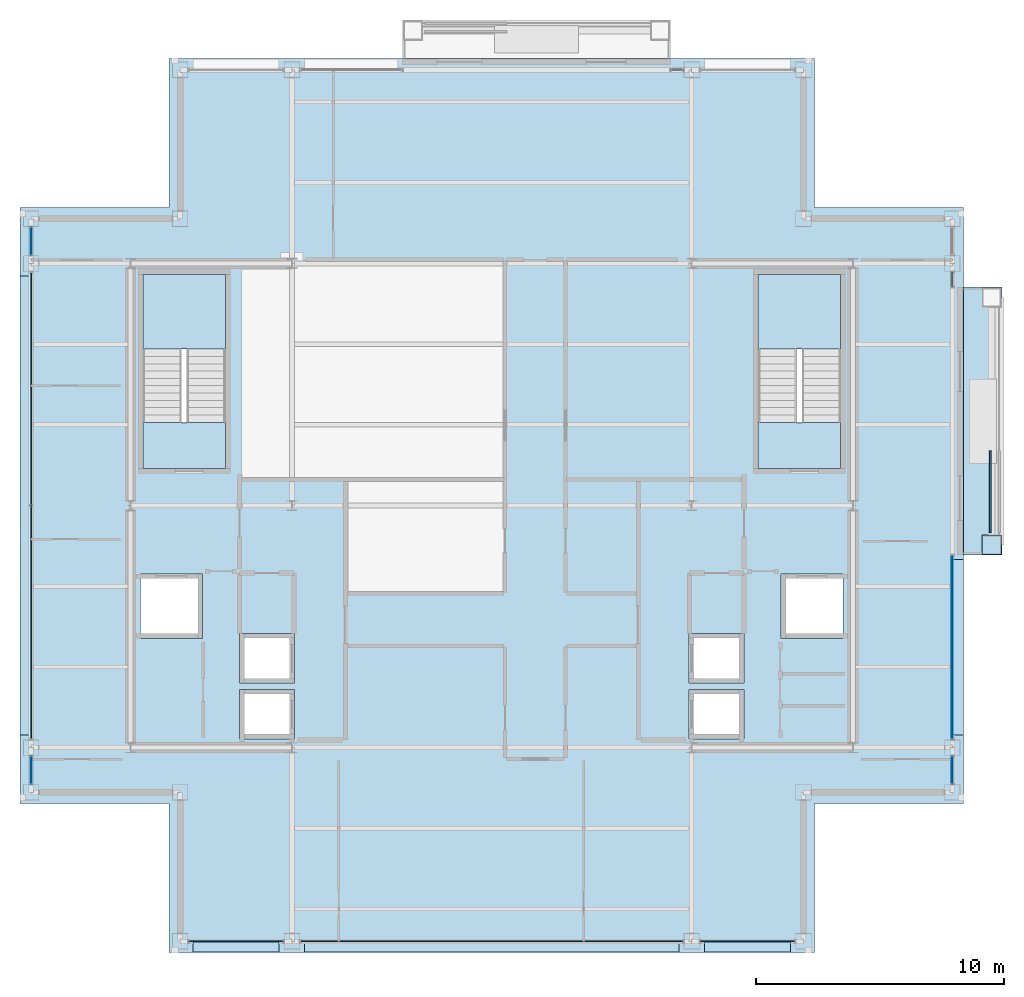
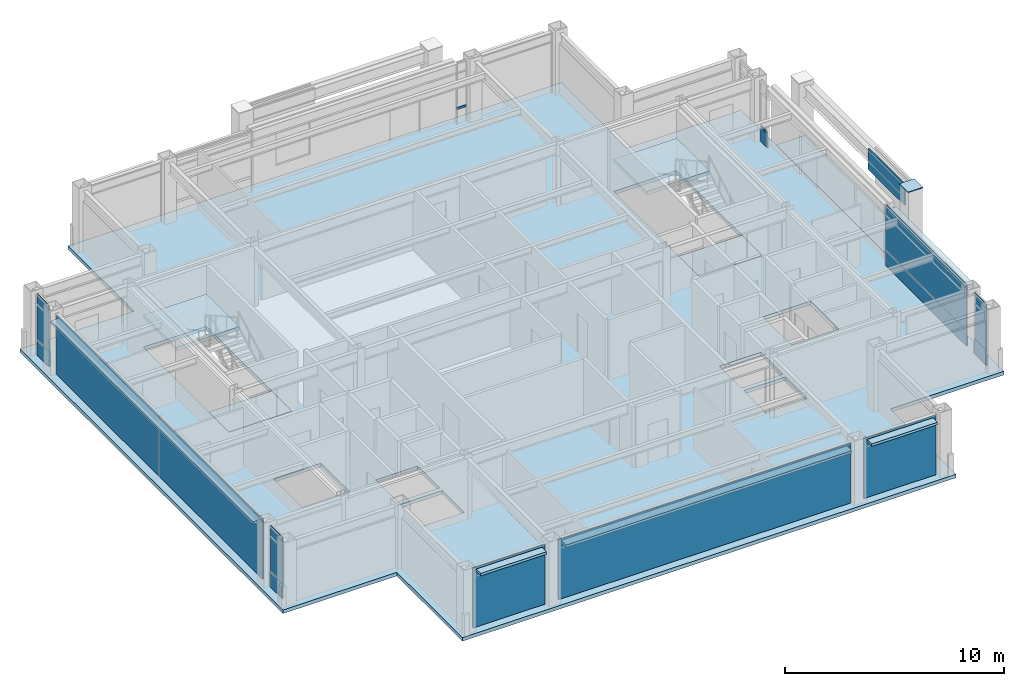
# One storey, part 17 of 24: 21 plates, 6 slabs, 2 members, 12 elements without a shape of their own.
"""IFC4 building model written with IfcOpenShell, lengths in metres."""

from ifc_helpers import new_model, si_unit, direction, frame, origin, origin_2d, place, context, subcontext, project, spatial, polyline, rectangle, hollow_rectangle, outline, extrude, material, layer, layer_set, material_profile, profile_set, type_object, element, aggregate, save


model = new_model("IFC4")

# Units and contexts
model_context = context("Model", 3, precision=1e-05, world=origin(), true_north=direction((0.0, 1.0)))
body_context = subcontext(model_context, "Body", "Model", "MODEL_VIEW")
ifc_project = project(units=[si_unit("LENGTHUNIT", "METRE"), si_unit("AREAUNIT", "SQUARE_METRE"), si_unit("VOLUMEUNIT", "CUBIC_METRE"), si_unit("PLANEANGLEUNIT", "RADIAN"), si_unit("MASSUNIT", "GRAM", prefix="KILO")], contexts=[model_context])

# Site, building, storey
site_placement = place(None, origin())
site = spatial("IfcSite", under=ifc_project, at=site_placement, CompositionType="ELEMENT")
building_placement = place(site_placement, origin())
building = spatial("IfcBuilding", under=site, at=building_placement, Name="Brelmoor Portico Tower", CompositionType="ELEMENT")
storey_placement = place(building_placement, frame((0.0, 0.0, 240.0)))
storey = spatial("IfcBuildingStorey", under=building, at=storey_placement, Name="L63", CompositionType="ELEMENT", Elevation=240.0)

# Curtain wall, member
ifc_material_1 = material(Name="Anodised Aluminium Alloy 6063-T6", Category="aluminium")
ifc_layer_1 = layer(ifc_material_1, 0.179931640625)
ifc_layer_set_1 = layer_set([ifc_layer_1], Name="Anodised Aluminium Alloy 6063-T6")
curtain_wall_type_1 = type_object("IfcCurtainWallType", Name="CW-TOWER-Z4", PredefinedType="NOTDEFINED", material=ifc_layer_set_1)
curtain_wall_1_placement = place(storey_placement, origin())
curtain_wall_1 = element("IfcCurtainWall", 1, at=curtain_wall_1_placement, inside=storey, type_object=curtain_wall_type_1, Name="L63 Curtain Wall CW-L63-2R-1", PredefinedType="NOTDEFINED")
ifc_material_profile = material_profile(ifc_material_1, hollow_rectangle(XDim=0.06005859375, YDim=0.125, WallThickness=0.00341796875, at=origin_2d()), Name="ALU TRANSOM 60x125")
ifc_profile_set = profile_set([ifc_material_profile], Name="Anodised Aluminium Alloy 6063-T6")
member_type = type_object("IfcMemberType", Name="MB-CW-TRAN-125", PredefinedType="USERDEFINED", material=ifc_profile_set)
member_1_placement = place(storey_placement, frame((7.199951171875, 17.550048828125, 0.85009765625), z_axis=(1.0, 0.0, 0.0), x_axis=(0.0, 1.0, 0.0)))
member_1 = element("IfcMember", 2, at=member_1_placement, type_object=member_type, Name="CW-L63-2R-1 Transom 1-00", ObjectType="TRANSOM", PredefinedType="USERDEFINED", context=body_context, shape_type="SweptSolid", body=[
    extrude(hollow_rectangle(XDim=0.06005859375, YDim=0.125, WallThickness=0.00341796875, at=origin_2d()), origin(), (0.0, 0.0, 1.0), 0.51513671875),
])
aggregate(curtain_wall_1, [member_1])

curtain_wall_2_placement = place(storey_placement, origin())
curtain_wall_2 = element("IfcCurtainWall", 3, at=curtain_wall_2_placement, inside=storey, type_object=curtain_wall_type_1, Name="L63 Curtain Wall CW-L63-4R-1", PredefinedType="NOTDEFINED")
member_2_placement = place(storey_placement, frame((18.550048828125, 8.800048828125, 0.85009765625), z_axis=(0.0, 1.0, 0.0), x_axis=(-1.0, 0.0, 0.0)))
member_2 = element("IfcMember", 4, at=member_2_placement, type_object=member_type, Name="CW-L63-4R-1 Transom 1-00", ObjectType="TRANSOM", PredefinedType="USERDEFINED", context=body_context, shape_type="SweptSolid", body=[
    extrude(hollow_rectangle(XDim=0.06005859375, YDim=0.125, WallThickness=0.00341796875, at=origin_2d()), origin(), (0.0, 0.0, 1.0), 0.614990234375),
])

# Plate
ifc_material_2 = material(Name="Steel Q355B", Category="steel")
ifc_layer_2 = layer(ifc_material_2, 0.044921875)
ifc_layer_set_2 = layer_set([ifc_layer_2], Name="Steel Q355B")
plate_type_1 = type_object("IfcPlateType", Name="PT-CAP-650", PredefinedType="SHEET", material=ifc_layer_set_2)
plate_1_placement = place(storey_placement, frame((20.1298828125, -1.580078125, 3.60009765625), z_axis=(0.0, 0.0, 1.0), x_axis=(0.0, 1.0, 0.0)))
element("IfcPlate", 5, at=plate_1_placement, inside=storey, type_object=plate_type_1, Name="L63 Proud Picture-Frame Pier PFJ-E1 Welded Head Cap Plate", PredefinedType="SHEET", context=body_context, shape_type="SweptSolid", body=[
    extrude(rectangle(XDim=0.7900390625, YDim=0.7900390625, at=origin_2d()), origin(), (0.0, 0.0, 1.0), 0.0400390625),
])

# Curtain wall, plate
curtain_wall_3_placement = place(storey_placement, origin())
curtain_wall_3 = element("IfcCurtainWall", 6, at=curtain_wall_3_placement, inside=storey, type_object=curtain_wall_type_1, Name="L63 Curtain Wall CW-L63-03-1", PredefinedType="NOTDEFINED")
ifc_material_3 = material(Name="Double-Silver Low-E Insulated Glazing", Category="glass")
ifc_layer_3 = layer(ifc_material_3, 0.035888671875)
ifc_layer_set_3 = layer_set([ifc_layer_3], Name="Double-Silver Low-E Insulated Glazing")
plate_type_2 = type_object("IfcPlateType", Name="PT-CW-GLASS", PredefinedType="CURTAIN_PANEL", material=ifc_layer_set_3)
plate_2_placement = place(storey_placement, frame((-18.550048828125, -10.64990234375, 0.85009765625), z_axis=(0.0, 0.0, 1.0), x_axis=(0.0, 1.0, 0.0)))
plate_2 = element("IfcPlate", 7, at=plate_2_placement, type_object=plate_type_2, Name="CW-L63-03-1 Vision Glass Panel 00", PredefinedType="CURTAIN_PANEL", context=body_context, shape_type="SweptSolid", body=[
    extrude(rectangle(XDim=1.10009765625, YDim=0.035888671875, at=origin_2d()), origin(), (0.0, 0.0, 1.0), 2.550048828125),
])

curtain_wall_4_placement = place(storey_placement, origin())
curtain_wall_4 = element("IfcCurtainWall", 8, at=curtain_wall_4_placement, inside=storey, type_object=curtain_wall_type_1, Name="L63 Curtain Wall CW-L63-03-3", PredefinedType="NOTDEFINED")
plate_3_placement = place(storey_placement, frame((-18.550048828125, 10.64990234375, 0.85009765625), z_axis=(0.0, 0.0, 1.0), x_axis=(0.0, 1.0, 0.0)))
plate_3 = element("IfcPlate", 9, at=plate_3_placement, type_object=plate_type_2, Name="CW-L63-03-3 Vision Glass Panel 00", PredefinedType="CURTAIN_PANEL", context=body_context, shape_type="SweptSolid", body=[
    extrude(rectangle(XDim=1.10009765625, YDim=0.035888671875, at=origin_2d()), origin(), (0.0, 0.0, 1.0), 2.550048828125),
])

curtain_wall_5_placement = place(storey_placement, origin())
curtain_wall_5 = element("IfcCurtainWall", 10, at=curtain_wall_5_placement, inside=storey, type_object=curtain_wall_type_1, Name="L63 Curtain Wall CW-L63-4L-1", PredefinedType="NOTDEFINED")
plate_4_placement = place(storey_placement, frame((18.550048828125, -10.64990234375, 0.85009765625), z_axis=(0.0, 0.0, 1.0), x_axis=(0.0, 1.0, 0.0)))
plate_4 = element("IfcPlate", 11, at=plate_4_placement, type_object=plate_type_2, Name="CW-L63-4L-1 Vision Glass Panel 00", PredefinedType="CURTAIN_PANEL", context=body_context, shape_type="SweptSolid", body=[
    extrude(rectangle(XDim=1.10009765625, YDim=0.035888671875, at=origin_2d()), origin(), (0.0, 0.0, 1.0), 2.550048828125),
])

curtain_wall_6_placement = place(storey_placement, origin())
curtain_wall_6 = element("IfcCurtainWall", 12, at=curtain_wall_6_placement, inside=storey, type_object=curtain_wall_type_1, Name="L63 Curtain Wall CW-L63-4L-2", PredefinedType="NOTDEFINED")
plate_5_placement = place(storey_placement, frame((18.550048828125, -5.70751953125, 0.85009765625), z_axis=(0.0, 0.0, 1.0), x_axis=(0.0, 1.0, 0.0)))
plate_5 = element("IfcPlate", 13, at=plate_5_placement, type_object=plate_type_2, Name="CW-L63-4L-2 Vision Glass Panel 00", PredefinedType="CURTAIN_PANEL", context=body_context, shape_type="SweptSolid", body=[
    extrude(rectangle(XDim=7.385009765625, YDim=0.035888671875, at=origin_2d()), origin(), (0.0, 0.0, 1.0), 2.550048828125),
])

ifc_layer_4 = layer(ifc_material_1, 0.179931640625)
ifc_layer_set_4 = layer_set([ifc_layer_4], Name="Anodised Aluminium Alloy 6063-T6")
curtain_wall_type_2 = type_object("IfcCurtainWallType", Name="CW-TOWER-Z4-XB", PredefinedType="NOTDEFINED", material=ifc_layer_set_4)
curtain_wall_7_placement = place(storey_placement, origin())
curtain_wall_7 = element("IfcCurtainWall", 14, at=curtain_wall_7_placement, inside=storey, type_object=curtain_wall_type_2, Name="L63 Curtain Wall CW-L63-01-1", PredefinedType="NOTDEFINED")
ifc_material_4 = material(Name="Pale Champagne Anodised Aluminium Panel", Category="aluminium")
ifc_layer_5 = layer(ifc_material_4, 0.050048828125)
ifc_layer_set_5 = layer_set([ifc_layer_5], Name="Pale Champagne Anodised Aluminium Panel")
plate_type_3 = type_object("IfcPlateType", Name="PT-CW-SPANDREL", PredefinedType="SHEET", material=ifc_layer_set_5)
plate_6_placement = place(storey_placement, frame((-10.300048828125, -17.550048828125, 0.0), z_axis=(0.0, 0.0, 1.0), x_axis=(1.0, 0.0, 0.0)))
plate_6 = element("IfcPlate", 15, at=plate_6_placement, type_object=plate_type_3, Name="CW-L63-01-1 Spandrel Panel 00", PredefinedType="SHEET", context=body_context, shape_type="SweptSolid", body=[
    extrude(rectangle(XDim=3.800048828125, YDim=0.050048828125, at=origin_2d()), origin(), (0.0, 0.0, 1.0), 3.33740234375),
])
aggregate(curtain_wall_7, [plate_6])

curtain_wall_8_placement = place(storey_placement, origin())
curtain_wall_8 = element("IfcCurtainWall", 16, at=curtain_wall_8_placement, inside=storey, type_object=curtain_wall_type_2, Name="L63 Curtain Wall CW-L63-01-2", PredefinedType="NOTDEFINED")
plate_7_placement = place(storey_placement, frame((0.0, -17.550048828125, 0.0), z_axis=(0.0, 0.0, 1.0), x_axis=(1.0, 0.0, 0.0)))
plate_7 = element("IfcPlate", 17, at=plate_7_placement, type_object=plate_type_3, Name="CW-L63-01-2 Spandrel Panel 00", PredefinedType="SHEET", context=body_context, shape_type="SweptSolid", body=[
    extrude(rectangle(XDim=15.39990234375, YDim=0.050048828125, at=origin_2d()), origin(), (0.0, 0.0, 1.0), 3.33740234375),
])
aggregate(curtain_wall_8, [plate_7])

curtain_wall_9_placement = place(storey_placement, origin())
curtain_wall_9 = element("IfcCurtainWall", 18, at=curtain_wall_9_placement, inside=storey, type_object=curtain_wall_type_2, Name="L63 Curtain Wall CW-L63-01-3", PredefinedType="NOTDEFINED")
plate_8_placement = place(storey_placement, frame((10.300048828125, -17.550048828125, 0.0), z_axis=(0.0, 0.0, 1.0), x_axis=(1.0, 0.0, 0.0)))
plate_8 = element("IfcPlate", 19, at=plate_8_placement, type_object=plate_type_3, Name="CW-L63-01-3 Spandrel Panel 00", PredefinedType="SHEET", context=body_context, shape_type="SweptSolid", body=[
    extrude(rectangle(XDim=3.800048828125, YDim=0.050048828125, at=origin_2d()), origin(), (0.0, 0.0, 1.0), 3.33740234375),
])
aggregate(curtain_wall_9, [plate_8])

# Plate
plate_9_placement = place(storey_placement, frame((-18.550048828125, -10.64990234375, 0.0), z_axis=(0.0, 0.0, 1.0), x_axis=(0.0, 1.0, 0.0)))
plate_9 = element("IfcPlate", 20, at=plate_9_placement, type_object=plate_type_3, Name="CW-L63-03-1 Spandrel Panel 00", PredefinedType="SHEET", context=body_context, shape_type="SweptSolid", body=[
    extrude(rectangle(XDim=1.10009765625, YDim=0.050048828125, at=origin_2d()), origin(), (0.0, 0.0, 1.0), 0.85009765625),
])

aggregate(curtain_wall_3, [plate_9, plate_2])

# Curtain wall, plates
curtain_wall_10_placement = place(storey_placement, origin())
curtain_wall_10 = element("IfcCurtainWall", 21, at=curtain_wall_10_placement, inside=storey, type_object=curtain_wall_type_2, Name="L63 Curtain Wall CW-L63-03-2", PredefinedType="NOTDEFINED")
plate_10_placement = place(storey_placement, frame((-18.550048828125, -4.70751953125, 0.0), z_axis=(0.0, 0.0, 1.0), x_axis=(0.0, 1.0, 0.0)))
plate_10 = element("IfcPlate", 22, at=plate_10_placement, type_object=plate_type_3, Name="CW-L63-03-2 Spandrel Panel 00", PredefinedType="SHEET", context=body_context, shape_type="SweptSolid", body=[
    extrude(rectangle(XDim=9.385009765625, YDim=0.050048828125, at=origin_2d()), origin(), (0.0, 0.0, 1.0), 3.33740234375),
])
plate_11_placement = place(storey_placement, frame((-18.550048828125, 4.70751953125, 0.0), z_axis=(0.0, 0.0, 1.0), x_axis=(0.0, 1.0, 0.0)))
plate_11 = element("IfcPlate", 23, at=plate_11_placement, type_object=plate_type_3, Name="CW-L63-03-2 Spandrel Panel 01", PredefinedType="SHEET", context=body_context, shape_type="SweptSolid", body=[
    extrude(rectangle(XDim=9.385009765625, YDim=0.050048828125, at=origin_2d()), origin(), (0.0, 0.0, 1.0), 3.33740234375),
])
aggregate(curtain_wall_10, [plate_10, plate_11])

# Plate
plate_12_placement = place(storey_placement, frame((-18.550048828125, 10.64990234375, 0.0), z_axis=(0.0, 0.0, 1.0), x_axis=(0.0, 1.0, 0.0)))
plate_12 = element("IfcPlate", 24, at=plate_12_placement, type_object=plate_type_3, Name="CW-L63-03-3 Spandrel Panel 00", PredefinedType="SHEET", context=body_context, shape_type="SweptSolid", body=[
    extrude(rectangle(XDim=1.10009765625, YDim=0.050048828125, at=origin_2d()), origin(), (0.0, 0.0, 1.0), 0.85009765625),
])

aggregate(curtain_wall_4, [plate_12, plate_3])

plate_13_placement = place(storey_placement, frame((18.550048828125, -10.64990234375, 0.0), z_axis=(0.0, 0.0, 1.0), x_axis=(0.0, 1.0, 0.0)))
plate_13 = element("IfcPlate", 25, at=plate_13_placement, type_object=plate_type_3, Name="CW-L63-4L-1 Spandrel Panel 00", PredefinedType="SHEET", context=body_context, shape_type="SweptSolid", body=[
    extrude(rectangle(XDim=1.10009765625, YDim=0.050048828125, at=origin_2d()), origin(), (0.0, 0.0, 1.0), 0.85009765625),
])

aggregate(curtain_wall_5, [plate_13, plate_4])

plate_14_placement = place(storey_placement, frame((18.550048828125, -5.70751953125, 0.0), z_axis=(0.0, 0.0, 1.0), x_axis=(0.0, 1.0, 0.0)))
plate_14 = element("IfcPlate", 26, at=plate_14_placement, type_object=plate_type_3, Name="CW-L63-4L-2 Spandrel Panel 00", PredefinedType="SHEET", context=body_context, shape_type="SweptSolid", body=[
    extrude(rectangle(XDim=7.385009765625, YDim=0.050048828125, at=origin_2d()), origin(), (0.0, 0.0, 1.0), 0.85009765625),
])

aggregate(curtain_wall_6, [plate_14, plate_5])

plate_15_placement = place(storey_placement, frame((18.550048828125, 9.107421875, 0.0), z_axis=(0.0, 0.0, 1.0), x_axis=(0.0, 1.0, 0.0)))
plate_15 = element("IfcPlate", 27, at=plate_15_placement, type_object=plate_type_3, Name="CW-L63-4R-1 Spandrel Panel 00", PredefinedType="SHEET", context=body_context, shape_type="SweptSolid", body=[
    extrude(rectangle(XDim=0.5849609375, YDim=0.050048828125, at=origin_2d()), origin(), (0.0, 0.0, 1.0), 0.85009765625),
])

aggregate(curtain_wall_2, [member_2, plate_15])

# Plates
ifc_material_5 = material(Name="Powder-Coated Aluminium Shuttered Jalousie Louvre", Category="aluminium")
ifc_layer_6 = layer(ifc_material_5, 0.06005859375)
ifc_layer_set_6 = layer_set([ifc_layer_6], Name="Powder-Coated Aluminium Shuttered Jalousie Louvre")
plate_type_4 = type_object("IfcPlateType", Name="PT-JALOUSIE-SHUTTER", PredefinedType="SHEET", material=ifc_layer_set_6)
plate_16_placement = place(storey_placement, frame((20.080078125, 0.550048828125, 2.275146484375), z_axis=(0.0, 0.0, 1.0), x_axis=(0.0, 1.0, 0.0)))
element("IfcPlate", 28, at=plate_16_placement, inside=storey, type_object=plate_type_4, Name="L63 Shuttered Veranda Screen E", PredefinedType="SHEET", context=body_context, shape_type="SweptSolid", body=[
    extrude(rectangle(XDim=3.300048828125, YDim=0.080078125, at=origin_2d()), origin(), (0.0, 0.0, 1.0), 1.14990234375),
])
ifc_material_6 = material(Name="Pale Champagne Perforated Aluminium Solar Screen", Category="aluminium")
ifc_layer_7 = layer(ifc_material_6, 0.054931640625)
ifc_layer_set_7 = layer_set([ifc_layer_7], Name="Pale Champagne Perforated Aluminium Solar Screen")
plate_type_5 = type_object("IfcPlateType", Name="PT-SOLAR-LOUVRE", PredefinedType="SHEET", material=ifc_layer_set_7)
plate_17_placement = place(storey_placement, frame((-10.300048828125, -17.760009765625, 3.08984375), z_axis=(0.0, 0.0, 1.0), x_axis=(1.0, 0.0, 0.0)))
element("IfcPlate", 29, at=plate_17_placement, inside=storey, type_object=plate_type_5, Name="CW-L63-01-1 Caribbean Brise-Soleil Solar Screen", PredefinedType="SHEET", context=body_context, shape_type="SweptSolid", body=[
    extrude(rectangle(XDim=3.469970703125, YDim=0.4599609375, at=origin_2d()), origin(), (0.0, 0.0, 1.0), 0.139892578125),
])
plate_18_placement = place(storey_placement, frame((0.0, -17.760009765625, 3.08984375), z_axis=(0.0, 0.0, 1.0), x_axis=(1.0, 0.0, 0.0)))
element("IfcPlate", 30, at=plate_18_placement, inside=storey, type_object=plate_type_5, Name="CW-L63-01-2 Caribbean Brise-Soleil Solar Screen", PredefinedType="SHEET", context=body_context, shape_type="SweptSolid", body=[
    extrude(rectangle(XDim=15.070068359375, YDim=0.4599609375, at=origin_2d()), origin(), (0.0, 0.0, 1.0), 0.139892578125),
])
plate_19_placement = place(storey_placement, frame((10.300048828125, -17.760009765625, 3.08984375), z_axis=(0.0, 0.0, 1.0), x_axis=(1.0, 0.0, 0.0)))
element("IfcPlate", 31, at=plate_19_placement, inside=storey, type_object=plate_type_5, Name="CW-L63-01-3 Caribbean Brise-Soleil Solar Screen", PredefinedType="SHEET", context=body_context, shape_type="SweptSolid", body=[
    extrude(rectangle(XDim=3.469970703125, YDim=0.4599609375, at=origin_2d()), origin(), (0.0, 0.0, 1.0), 0.139892578125),
])
plate_20_placement = place(storey_placement, frame((-18.760009765625, 0.0, 3.08984375), z_axis=(0.0, 0.0, 1.0), x_axis=(0.0, 1.0, 0.0)))
element("IfcPlate", 32, at=plate_20_placement, inside=storey, type_object=plate_type_5, Name="CW-L63-03-2 Caribbean Brise-Soleil Solar Screen", PredefinedType="SHEET", context=body_context, shape_type="SweptSolid", body=[
    extrude(rectangle(XDim=18.469970703125, YDim=0.4599609375, at=origin_2d()), origin(), (0.0, 0.0, 1.0), 0.139892578125),
])
plate_21_placement = place(storey_placement, frame((18.760009765625, -5.70751953125, 3.08984375), z_axis=(0.0, 0.0, 1.0), x_axis=(0.0, 1.0, 0.0)))
element("IfcPlate", 33, at=plate_21_placement, inside=storey, type_object=plate_type_5, Name="CW-L63-4L-2 Caribbean Brise-Soleil Solar Screen", PredefinedType="SHEET", context=body_context, shape_type="SweptSolid", body=[
    extrude(rectangle(XDim=7.054931640625, YDim=0.4599609375, at=origin_2d()), origin(), (0.0, 0.0, 1.0), 0.139892578125),
])

# Slabs
ifc_material_7 = material(Name="Concrete C40", Category="concrete")
ifc_layer_8 = layer(ifc_material_7, 0.199951171875)
ifc_layer_set_8 = layer_set([ifc_layer_8], Name="Concrete C40")
slab_type_1 = type_object("IfcSlabType", Name="SL-BALCONY-200", PredefinedType="FLOOR", material=ifc_layer_set_8)
slab_1_placement = place(storey_placement, frame((0.0, 0.0, -0.199951171875)))
element("IfcSlab", 34, at=slab_1_placement, inside=storey, type_object=slab_type_1, Name="L63 Loggia Tree Balcony Slab E", PredefinedType="FLOOR", context=body_context, shape_type="SweptSolid", body=[
    extrude(outline(polyline([(19.0, -2.0), (20.550048828125, -2.0), (20.550048828125, 8.800048828125), (19.0, 8.800048828125), (19.0, -2.0)])), origin(), (0.0, 0.0, 1.0), 0.199951171875),
])
ifc_layer_9 = layer(ifc_material_7, 0.199951171875)
ifc_layer_set_9 = layer_set([ifc_layer_9], Name="Concrete C40")
slab_type_2 = type_object("IfcSlabType", Name="SL-FLOOR-200", PredefinedType="FLOOR", material=ifc_layer_set_9)
slab_2_placement = place(storey_placement, frame((0.0, 0.0, -0.199951171875)))
element("IfcSlab", 35, at=slab_2_placement, inside=storey, type_object=slab_type_2, Name="L63 Main Structural Floor Slab", PredefinedType="FLOOR", context=body_context, shape_type="SweptSolid", body=[
    extrude(outline(polyline([(-13.0, -18.0), (13.0, -18.0), (13.0, -12.0), (19.0, -12.0), (19.0, 12.0), (13.0, 12.0), (13.0, 18.0), (-13.0, 18.0), (-13.0, 12.0), (-19.0, 12.0), (-19.0, -12.0), (-13.0, -12.0), (-13.0, -18.0)]), holes=[polyline([(-10.72998046875, 1.5), (-10.72998046875, 9.300048828125), (-14.050048828125, 9.300048828125), (-14.050048828125, 1.5), (-10.72998046875, 1.5)]), polyline([(14.050048828125, 1.5), (14.050048828125, 9.300048828125), (10.72998046875, 9.300048828125), (10.72998046875, 1.5), (14.050048828125, 1.5)]), polyline([(-10.14990234375, -9.39990234375), (-7.949951171875, -9.39990234375), (-7.949951171875, -7.39990234375), (-10.14990234375, -7.39990234375), (-10.14990234375, -9.39990234375)]), polyline([(-10.14990234375, -7.14990234375), (-7.949951171875, -7.14990234375), (-7.949951171875, -5.14990234375), (-10.14990234375, -5.14990234375), (-10.14990234375, -7.14990234375)]), polyline([(7.949951171875, -9.39990234375), (10.14990234375, -9.39990234375), (10.14990234375, -7.39990234375), (7.949951171875, -7.39990234375), (7.949951171875, -9.39990234375)]), polyline([(7.949951171875, -7.14990234375), (10.14990234375, -7.14990234375), (10.14990234375, -5.14990234375), (7.949951171875, -5.14990234375), (7.949951171875, -7.14990234375)]), polyline([(-14.14990234375, -5.35009765625), (-11.64990234375, -5.35009765625), (-11.64990234375, -2.75), (-14.14990234375, -2.75), (-14.14990234375, -5.35009765625)]), polyline([(11.64990234375, -5.35009765625), (14.14990234375, -5.35009765625), (14.14990234375, -2.75), (11.64990234375, -2.75), (11.64990234375, -5.35009765625)])]), origin(), (0.0, 0.0, 1.0), 0.199951171875),
])

# Stair, slab
stair_type_1 = type_object("IfcStairType", Name="ST-CORE-W", PredefinedType="HALF_TURN_STAIR", material=ifc_material_7)
stair_1_placement = place(storey_placement, origin())
stair_1 = element("IfcStair", 36, at=stair_1_placement, inside=storey, type_object=stair_type_1, Name="L63 Protected Core Exit Stair ST-W", PredefinedType="HALF_TURN_STAIR")
ifc_layer_10 = layer(ifc_material_7, 0.179931640625)
ifc_layer_set_10 = layer_set([ifc_layer_10], Name="Concrete C40")
slab_type_3 = type_object("IfcSlabType", Name="SL-LANDING-180", PredefinedType="LANDING", material=ifc_layer_set_10)
slab_3_placement = place(storey_placement, frame((0.0, 0.0, 1.60009765625)))
slab_3 = element("IfcSlab", 37, at=slab_3_placement, type_object=slab_type_3, Name="ST-W landing 1", PredefinedType="LANDING", context=body_context, shape_type="SweptSolid", body=[
    extrude(outline(polyline([(-10.72998046875, 6.300048828125), (-10.72998046875, 9.300048828125), (-14.050048828125, 9.300048828125), (-14.050048828125, 6.300048828125), (-10.72998046875, 6.300048828125)])), origin(), (0.0, 0.0, 1.0), 0.199951171875),
])
aggregate(stair_1, [slab_3])

stair_type_2 = type_object("IfcStairType", Name="ST-CORE-E", PredefinedType="HALF_TURN_STAIR", material=ifc_material_7)
stair_2_placement = place(storey_placement, origin())
stair_2 = element("IfcStair", 38, at=stair_2_placement, inside=storey, type_object=stair_type_2, Name="L63 Protected Core Exit Stair ST-E", PredefinedType="HALF_TURN_STAIR")
slab_4_placement = place(storey_placement, frame((0.0, 0.0, 1.60009765625)))
slab_4 = element("IfcSlab", 39, at=slab_4_placement, type_object=slab_type_3, Name="ST-E landing 1", PredefinedType="LANDING", context=body_context, shape_type="SweptSolid", body=[
    extrude(outline(polyline([(14.050048828125, 6.300048828125), (14.050048828125, 9.300048828125), (10.72998046875, 9.300048828125), (10.72998046875, 6.300048828125), (14.050048828125, 6.300048828125)])), origin(), (0.0, 0.0, 1.0), 0.199951171875),
])
aggregate(stair_2, [slab_4])

# Slabs
ifc_layer_11 = layer(ifc_material_7, 0.199951171875)
ifc_layer_set_11 = layer_set([ifc_layer_11], Name="Concrete C40")
slab_type_4 = type_object("IfcSlabType", Name="SL-STAIR-FL200", PredefinedType="LANDING", material=ifc_layer_set_11)
slab_5_placement = place(storey_placement, frame((0.0, 0.0, -0.199951171875)))
element("IfcSlab", 40, at=slab_5_placement, inside=storey, type_object=slab_type_4, Name="L63 ST-W Structural Floor Landing Slab", PredefinedType="LANDING", context=body_context, shape_type="SweptSolid", body=[
    extrude(outline(polyline([(-10.72998046875, 1.5), (-10.72998046875, 3.35009765625), (-14.050048828125, 3.35009765625), (-14.050048828125, 1.5), (-10.72998046875, 1.5)])), origin(), (0.0, 0.0, 1.0), 0.199951171875),
])
slab_6_placement = place(storey_placement, frame((0.0, 0.0, -0.199951171875)))
element("IfcSlab", 41, at=slab_6_placement, inside=storey, type_object=slab_type_4, Name="L63 ST-E Structural Floor Landing Slab", PredefinedType="LANDING", context=body_context, shape_type="SweptSolid", body=[
    extrude(outline(polyline([(14.050048828125, 1.5), (14.050048828125, 3.35009765625), (10.72998046875, 3.35009765625), (10.72998046875, 1.5), (14.050048828125, 1.5)])), origin(), (0.0, 0.0, 1.0), 0.199951171875),
])

save(model, "model.ifc")
